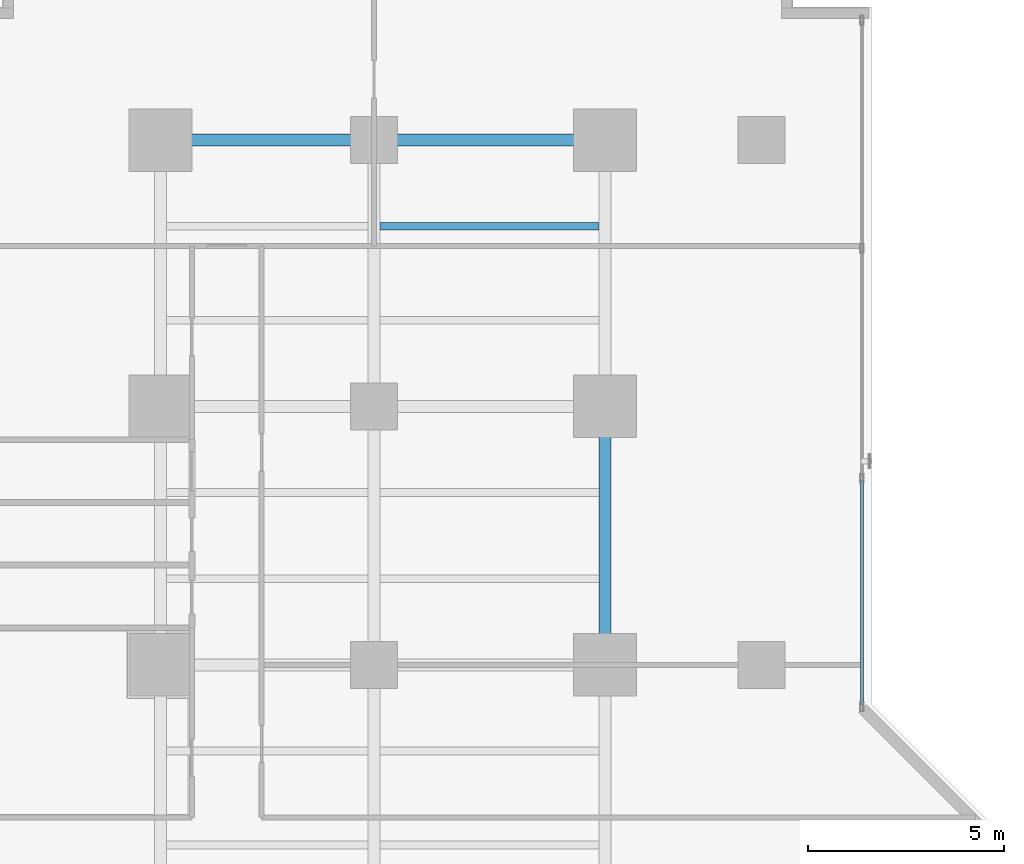
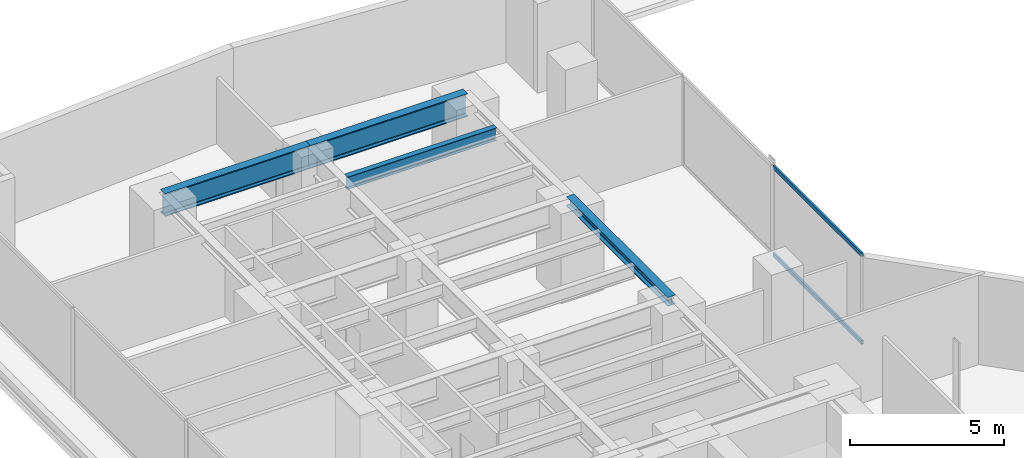
# One storey, part 18 of 29: 4 beams, 2 members, 1 element without a shape of its own.
"""IFC4 building model written with IfcOpenShell, lengths in metres."""

from ifc_helpers import new_model, si_unit, direction, frame, origin, origin_with_axes, origin_2d, place, context, subcontext, project, spatial, hollow_rectangle, i_section, extrude, source, transform, mapped, material, layer, layer_set, material_profile, profile_set, type_object, element, aggregate, save


model = new_model("IFC4")

# Units and contexts
model_context = context("Model", 3, precision=1e-05, world=origin(), true_north=direction((0.0, 1.0)))
body_context = subcontext(model_context, "Body", "Model", "MODEL_VIEW")
ifc_project = project(units=[si_unit("LENGTHUNIT", "METRE"), si_unit("AREAUNIT", "SQUARE_METRE"), si_unit("VOLUMEUNIT", "CUBIC_METRE"), si_unit("PLANEANGLEUNIT", "RADIAN"), si_unit("MASSUNIT", "GRAM", prefix="KILO")], contexts=[model_context])

# Site, building, storey
site_placement = place(None, origin())
site = spatial("IfcSite", under=ifc_project, at=site_placement, CompositionType="ELEMENT")
building_placement = place(site_placement, origin())
building = spatial("IfcBuilding", under=site, at=building_placement, Name="Kolvaren Waterfront Exchange", CompositionType="ELEMENT")
storey_placement = place(building_placement, frame((0.0, 0.0, 29.60009765625)))
storey = spatial("IfcBuildingStorey", under=building, at=storey_placement, Name="L07", CompositionType="ELEMENT", Elevation=29.60009765625)

# Beams
ifc_material_1 = material(Name="Steel S355", Category="steel")
ifc_material_profile_1 = material_profile(ifc_material_1, i_section(OverallWidth=0.300048828125, OverallDepth=0.360107421875, WebThickness=0.012451171875, FlangeThickness=0.0224609375, FilletRadius=0.027099609375, at=origin_2d()), Name="HEB360")
ifc_profile_set_1 = profile_set([ifc_material_profile_1], Name="Steel S355")
beam_type_1 = type_object("IfcBeamType", Name="STR-BM-HEB360", PredefinedType="SPANDREL", material=ifc_profile_set_1)
beam_1_placement = place(storey_placement, frame((18.800048828125, 31.199951171875, 3.35986328125), z_axis=(0.0, 1.0, 0.0), x_axis=(-1.0, 0.0, 0.0)))
element("IfcBeam", 1, at=beam_1_placement, inside=storey, type_object=beam_type_1, Name="L07 north-arm edge beam 2", PredefinedType="SPANDREL", context=body_context, shape_type="SweptSolid", body=[
    extrude(i_section(OverallWidth=0.300048828125, OverallDepth=0.360107421875, WebThickness=0.012451171875, FlangeThickness=0.0224609375, FilletRadius=0.027099609375, at=origin_2d()), origin(), (0.0, 0.0, 1.0), 6.60009765625),
])
ifc_material_profile_2 = material_profile(ifc_material_1, i_section(OverallWidth=0.199951171875, OverallDepth=0.5, WebThickness=0.01025390625, FlangeThickness=0.01611328125, FilletRadius=0.02099609375, at=origin_2d()), Name="IPE500")
ifc_profile_set_2 = profile_set([ifc_material_profile_2], Name="Steel S355")
beam_type_2 = type_object("IfcBeamType", Name="STR-BM-IPE500", PredefinedType="JOIST", material=ifc_profile_set_2)
beam_2_placement = place(storey_placement, frame((13.052978515625, 42.39990234375, 3.289794921875), z_axis=(1.0, 0.0, 0.0), x_axis=(0.0, 1.0, 0.0)))
element("IfcBeam", 2, at=beam_2_placement, inside=storey, type_object=beam_type_2, Name="L07 north-arm composite joist 6B", PredefinedType="JOIST", context=body_context, shape_type="SweptSolid", body=[
    extrude(i_section(OverallWidth=0.199951171875, OverallDepth=0.5, WebThickness=0.01025390625, FlangeThickness=0.01611328125, FilletRadius=0.02099609375, at=origin_2d()), origin(), (0.0, 0.0, 1.0), 5.594970703125),
])
ifc_material_2 = material(Name="Steel S460", Category="steel")
ifc_material_profile_3 = material_profile(ifc_material_2, i_section(OverallWidth=0.302001953125, OverallDepth=0.909912109375, WebThickness=0.02099609375, FlangeThickness=0.0400390625, FilletRadius=0.030029296875, at=origin_2d()), Name="HEM900")
ifc_profile_set_3 = profile_set([ifc_material_profile_3], Name="Steel S460")
beam_type_3 = type_object("IfcBeamType", Name="STR-TRG-HEM900", PredefinedType="BEAM", material=ifc_profile_set_3)
beam_3_placement = place(storey_placement, frame((7.449951171875, 44.60009765625, 3.0849609375), z_axis=(1.0, 0.0, 0.0), x_axis=(0.0, 1.0, 0.0)))
element("IfcBeam", 3, at=beam_3_placement, inside=storey, type_object=beam_type_3, Name="L07 north-arm girder 4A", PredefinedType="BEAM", context=body_context, shape_type="SweptSolid", body=[
    extrude(i_section(OverallWidth=0.302001953125, OverallDepth=0.909912109375, WebThickness=0.02099609375, FlangeThickness=0.0400390625, FilletRadius=0.030029296875, at=origin_2d()), origin(), (0.0, 0.0, 1.0), 5.449951171875),
])
beam_4_placement = place(storey_placement, frame((12.89990234375, 44.60009765625, 3.0849609375), z_axis=(1.0, 0.0, 0.0), x_axis=(0.0, 1.0, 0.0)))
element("IfcBeam", 4, at=beam_4_placement, inside=storey, type_object=beam_type_3, Name="L07 north-arm girder 4B", PredefinedType="BEAM", context=body_context, shape_type="SweptSolid", body=[
    extrude(i_section(OverallWidth=0.302001953125, OverallDepth=0.909912109375, WebThickness=0.02099609375, FlangeThickness=0.0400390625, FilletRadius=0.030029296875, at=origin_2d()), origin(), (0.0, 0.0, 1.0), 5.900146484375),
])

# Curtain wall, members
ifc_material_3 = material(Name="Anodised bronze aluminium 6063-T6", Category="aluminium")
ifc_layer = layer(ifc_material_3, 0.219970703125, Name="Anodised bronze aluminium 6063-T6")
ifc_layer_set = layer_set([ifc_layer], Name="Anodised bronze aluminium 6063-T6")
curtain_wall_type = type_object("IfcCurtainWallType", Name="ARC-CW-SYS1", PredefinedType="USERDEFINED", material=ifc_layer_set)
curtain_wall_placement = place(storey_placement, origin())
curtain_wall = element("IfcCurtainWall", 5, at=curtain_wall_placement, inside=storey, type_object=curtain_wall_type, Name="L07 stick curtain wall CW1 (CW-L07-NE)", ObjectType="STICK CURTAIN WALL", PredefinedType="USERDEFINED")
ifc_material_4 = material(Name="Anodised aluminium 6063-T6", Category="aluminium")
ifc_material_profile_4 = material_profile(ifc_material_4, hollow_rectangle(XDim=0.074951171875, YDim=0.159912109375, WallThickness=0.00439453125, at=origin_2d()), Name="ALU-TRN-160x75x4.5")
ifc_profile_set_4 = profile_set([ifc_material_profile_4], Name="Anodised aluminium 6063-T6")
member_type = type_object("IfcMemberType", Name="ARC-CWT-160", PredefinedType="USERDEFINED", material=ifc_profile_set_4)
shared_shape = source(origin_with_axes(), body_context, "Body", "SweptSolid", [
    extrude(hollow_rectangle(XDim=0.074951171875, YDim=0.159912109375, WallThickness=0.00439453125, at=origin_2d()), origin(), (0.0, 0.0, 1.0), 5.75),
])
member_1_placement = place(storey_placement, frame((25.360107421875, 30.169921875, 0.037353515625), z_axis=(0.0, 1.0, 0.0), x_axis=(-1.0, 0.0, 0.0)))
member_1 = element("IfcMember", 6, at=member_1_placement, type_object=member_type, Name="CW1 transom 1.1", ObjectType="TRANSOM", PredefinedType="USERDEFINED", context=body_context, shape_type="MappedRepresentation", body=[
    mapped(shared_shape, transform((0.0, 0.0, 0.0), x_axis=(1.0, 0.0, 0.0), y_axis=(0.0, 1.0, 0.0), z_axis=(0.0, 0.0, 1.0), scale=1.0)),
])
member_2_placement = place(storey_placement, frame((25.360107421875, 30.169921875, 3.50244140625), z_axis=(0.0, 1.0, 0.0), x_axis=(-1.0, 0.0, 0.0)))
member_2 = element("IfcMember", 7, at=member_2_placement, type_object=member_type, Name="CW1 transom 1.2", ObjectType="TRANSOM", PredefinedType="USERDEFINED", context=body_context, shape_type="MappedRepresentation", body=[
    mapped(shared_shape, transform((0.0, 0.0, 0.0), x_axis=(1.0, 0.0, 0.0), y_axis=(0.0, 1.0, 0.0), z_axis=(0.0, 0.0, 1.0), scale=1.0)),
])
aggregate(curtain_wall, [member_1, member_2])

save(model, "model.ifc")
